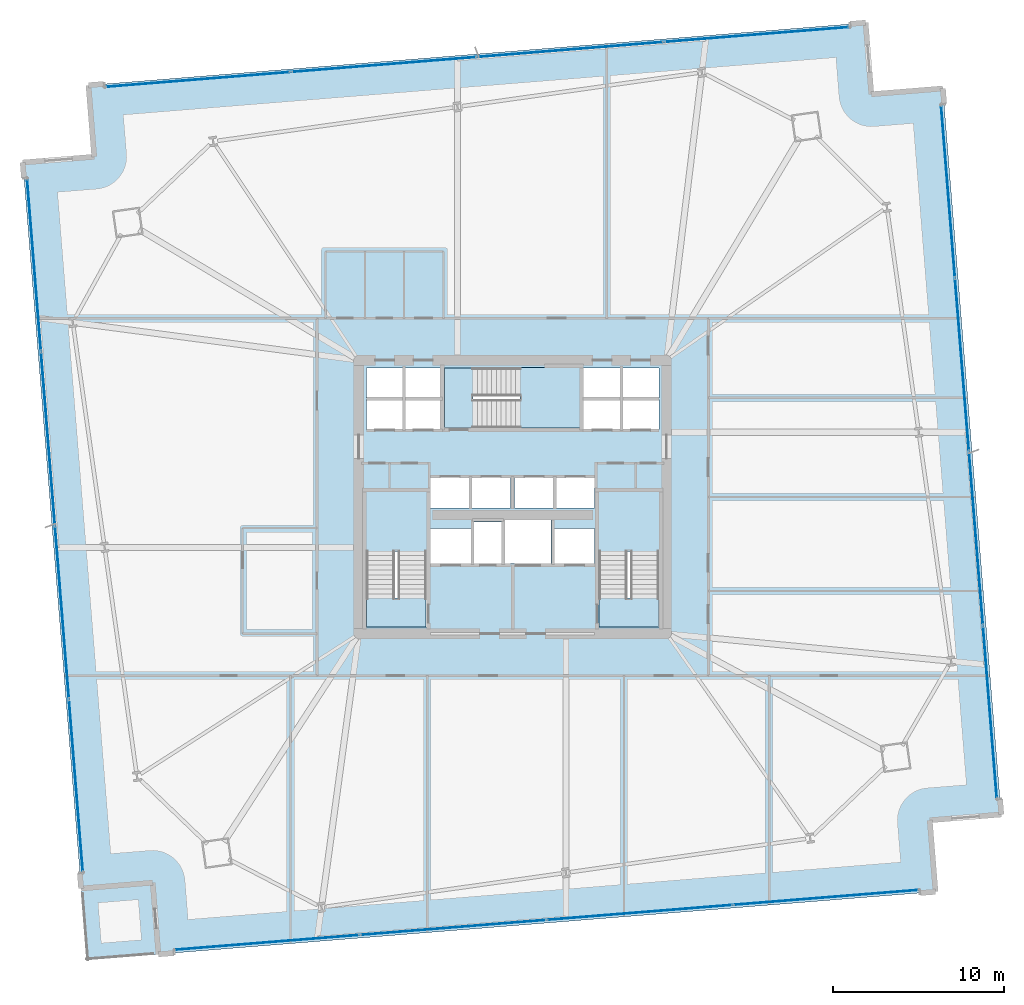
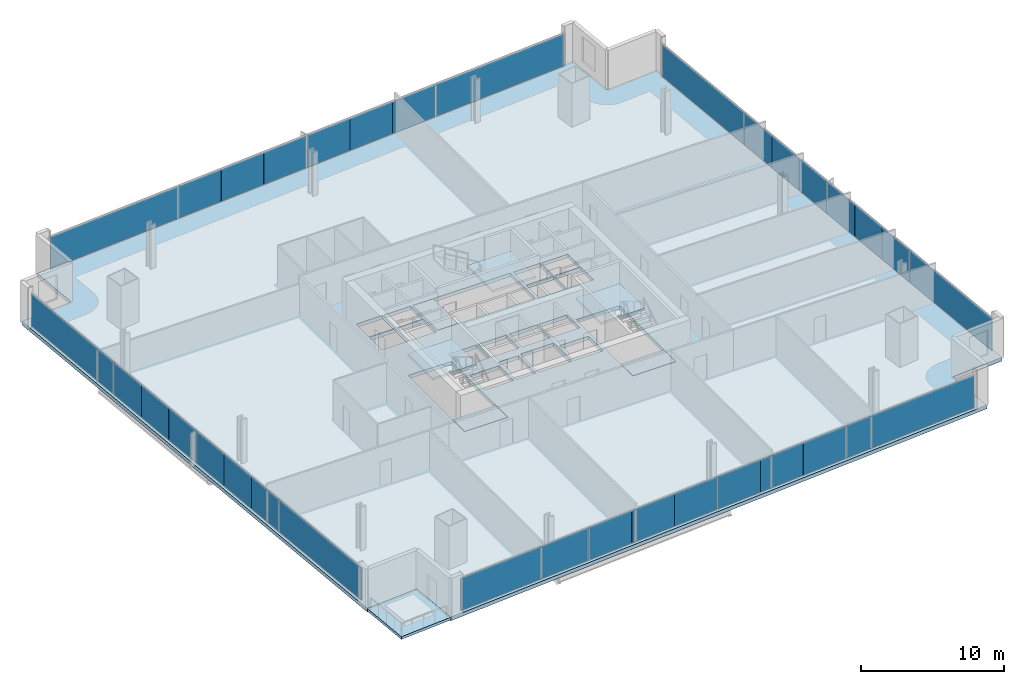
# One storey, part 24 of 33: 32 plates, 8 slabs, 7 elements without a shape of their own.
"""IFC4 building model written with IfcOpenShell, lengths in metres."""

from ifc_helpers import new_model, si_unit, direction, frame, origin, origin_2d, place, context, subcontext, project, spatial, polyline, rectangle, outline, extrude, source, transform, mapped, material, layer, layer_set, type_object, element, aggregate, save


model = new_model("IFC4")

# Units and contexts
model_context = context("Model", 3, precision=1e-05, world=origin(), true_north=direction((0.0, 1.0)))
body_context = subcontext(model_context, "Body", "Model", "MODEL_VIEW")
ifc_project = project(units=[si_unit("LENGTHUNIT", "METRE"), si_unit("AREAUNIT", "SQUARE_METRE"), si_unit("VOLUMEUNIT", "CUBIC_METRE"), si_unit("PLANEANGLEUNIT", "RADIAN"), si_unit("MASSUNIT", "GRAM", prefix="KILO")], contexts=[model_context])

# Site, building, storey
site_placement = place(None, origin())
site = spatial("IfcSite", under=ifc_project, at=site_placement, CompositionType="ELEMENT")
building_placement = place(site_placement, origin())
building = spatial("IfcBuilding", under=site, at=building_placement, Name="Haldenkirk Collegiate Tower", CompositionType="ELEMENT")
storey_placement = place(building_placement, frame((0.0, 0.0, 43.949951171875)))
storey = spatial("IfcBuildingStorey", under=building, at=storey_placement, Name="L09", CompositionType="ELEMENT", Elevation=43.949951171875)

# Slab
ifc_material_1 = material(Name="Concrete f'c 40 MPa", Category="concrete")
ifc_layer_1 = layer(ifc_material_1, 0.31005859375)
ifc_layer_set_1 = layer_set([ifc_layer_1], Name="Concrete f'c 40 MPa")
slab_type_1 = type_object("IfcSlabType", Name="SLB-FLR-310", PredefinedType="FLOOR", material=ifc_layer_set_1)
slab_1_placement = place(storey_placement, frame((0.0, 0.0, -0.31005859375)))
element("IfcSlab", 1, at=slab_1_placement, inside=storey, type_object=slab_type_1, Name="L09 composite structural floor slab", PredefinedType="FLOOR", context=body_context, shape_type="SweptSolid", body=[
    extrude(outline(polyline([(15.2783203125, -0.748046875), (60.7314453125, 2.9091796875), (60.394775390625, 7.095458984375), (64.581298828125, 7.432373046875), (61.164794921875, 49.895263671875), (56.978271484375, 49.558349609375), (56.641357421875, 53.744873046875), (11.188232421875, 50.087646484375), (11.525146484375, 45.901123046875), (7.338623046875, 45.564453125), (10.755126953125, 3.1015625), (14.941650390625, 3.4384765625), (15.2783203125, -0.748046875)]), holes=[polyline([(27.449951171875, 18.39990234375), (30.949951171875, 18.39990234375), (30.949951171875, 26.300048828125), (27.449951171875, 26.300048828125), (27.449951171875, 18.39990234375)]), polyline([(41.050048828125, 18.39990234375), (44.550048828125, 18.39990234375), (44.550048828125, 26.300048828125), (41.050048828125, 26.300048828125), (41.050048828125, 18.39990234375)]), polyline([(32.0, 30.050048828125), (39.89990234375, 30.050048828125), (39.89990234375, 33.550048828125), (32.0, 33.550048828125), (32.0, 30.050048828125)]), polyline([(33.75, 22.10009765625), (35.35009765625, 22.10009765625), (35.35009765625, 24.550048828125), (33.75, 24.550048828125), (33.75, 22.10009765625)]), polyline([(27.449951171875, 29.949951171875), (29.580078125, 29.949951171875), (29.580078125, 31.699951171875), (27.449951171875, 31.699951171875), (27.449951171875, 29.949951171875)]), polyline([(29.679931640625, 29.949951171875), (31.85009765625, 29.949951171875), (31.85009765625, 31.699951171875), (29.679931640625, 31.699951171875), (29.679931640625, 29.949951171875)]), polyline([(27.449951171875, 31.800048828125), (29.580078125, 31.800048828125), (29.580078125, 33.550048828125), (27.449951171875, 33.550048828125), (27.449951171875, 31.800048828125)]), polyline([(29.679931640625, 31.800048828125), (31.85009765625, 31.800048828125), (31.85009765625, 33.550048828125), (29.679931640625, 33.550048828125), (29.679931640625, 31.800048828125)]), polyline([(40.14990234375, 29.949951171875), (42.320068359375, 29.949951171875), (42.320068359375, 31.699951171875), (40.14990234375, 31.699951171875), (40.14990234375, 29.949951171875)]), polyline([(42.419921875, 29.949951171875), (44.550048828125, 29.949951171875), (44.550048828125, 31.699951171875), (42.419921875, 31.699951171875), (42.419921875, 29.949951171875)]), polyline([(40.14990234375, 31.800048828125), (42.320068359375, 31.800048828125), (42.320068359375, 33.550048828125), (40.14990234375, 33.550048828125), (40.14990234375, 31.800048828125)]), polyline([(42.419921875, 31.800048828125), (44.550048828125, 31.800048828125), (44.550048828125, 33.550048828125), (42.419921875, 33.550048828125), (42.419921875, 31.800048828125)]), polyline([(31.199951171875, 25.35009765625), (33.47998046875, 25.35009765625), (33.47998046875, 27.14990234375), (31.199951171875, 27.14990234375), (31.199951171875, 25.35009765625)]), polyline([(33.60009765625, 25.35009765625), (35.8798828125, 25.35009765625), (35.8798828125, 27.14990234375), (33.60009765625, 27.14990234375), (33.60009765625, 25.35009765625)]), polyline([(36.1201171875, 25.35009765625), (38.39990234375, 25.35009765625), (38.39990234375, 27.14990234375), (36.1201171875, 27.14990234375), (36.1201171875, 25.35009765625)]), polyline([(38.52001953125, 25.35009765625), (40.800048828125, 25.35009765625), (40.800048828125, 27.14990234375), (38.52001953125, 27.14990234375), (38.52001953125, 25.35009765625)]), polyline([(31.199951171875, 22.10009765625), (33.550048828125, 22.10009765625), (33.550048828125, 24.14990234375), (31.199951171875, 24.14990234375), (31.199951171875, 22.10009765625)]), polyline([(38.449951171875, 22.10009765625), (40.800048828125, 22.10009765625), (40.800048828125, 24.14990234375), (38.449951171875, 24.14990234375), (38.449951171875, 22.10009765625)]), polyline([(35.550048828125, 22.10009765625), (38.25, 22.10009765625), (38.25, 24.64990234375), (35.550048828125, 24.64990234375), (35.550048828125, 22.10009765625)])]), origin(), (0.0, 0.0, 1.0), 0.31005859375),
])

# Stair, slab
stair_type = type_object("IfcStairType", Name="STR-DOGLEG-1650", PredefinedType="HALF_TURN_STAIR", material=ifc_material_1)
stair_1_placement = place(storey_placement, origin())
stair_1 = element("IfcStair", 2, at=stair_1_placement, inside=storey, type_object=stair_type, Name="L09 Core Exit Stair ST-1", PredefinedType="HALF_TURN_STAIR")
ifc_layer_2 = layer(ifc_material_1, 0.199951171875)
ifc_layer_set_2 = layer_set([ifc_layer_2], Name="Concrete f'c 40 MPa")
slab_type_2 = type_object("IfcSlabType", Name="SLB-LANDING-200", PredefinedType="LANDING", material=ifc_layer_set_2)
slab_2_placement = place(storey_placement, frame((0.0, 0.0, 1.675048828125)))
slab_2 = element("IfcSlab", 3, at=slab_2_placement, type_object=slab_type_2, Name="ST-1 landing 1", PredefinedType="LANDING", context=body_context, shape_type="SweptSolid", body=[
    extrude(outline(polyline([(30.97509765625, 22.824951171875), (27.425048828125, 22.824951171875), (27.425048828125, 26.324951171875), (30.97509765625, 26.324951171875), (30.97509765625, 22.824951171875)])), origin(), (0.0, 0.0, 1.0), 0.199951171875),
])
aggregate(stair_1, [slab_2])

stair_2_placement = place(storey_placement, origin())
stair_2 = element("IfcStair", 4, at=stair_2_placement, inside=storey, type_object=stair_type, Name="L09 Core Exit Stair ST-2", PredefinedType="HALF_TURN_STAIR")
slab_3_placement = place(storey_placement, frame((0.0, 0.0, 1.675048828125)))
slab_3 = element("IfcSlab", 5, at=slab_3_placement, type_object=slab_type_2, Name="ST-2 landing 1", PredefinedType="LANDING", context=body_context, shape_type="SweptSolid", body=[
    extrude(outline(polyline([(44.574951171875, 22.824951171875), (41.02490234375, 22.824951171875), (41.02490234375, 26.324951171875), (44.574951171875, 26.324951171875), (44.574951171875, 22.824951171875)])), origin(), (0.0, 0.0, 1.0), 0.199951171875),
])
aggregate(stair_2, [slab_3])

stair_3_placement = place(storey_placement, origin())
stair_3 = element("IfcStair", 6, at=stair_3_placement, inside=storey, type_object=stair_type, Name="L09 Core Exit Stair ST-3", PredefinedType="HALF_TURN_STAIR")
slab_4_placement = place(storey_placement, frame((0.0, 0.0, 1.675048828125)))
slab_4 = element("IfcSlab", 7, at=slab_4_placement, type_object=slab_type_2, Name="ST-3 landing 1", PredefinedType="LANDING", context=body_context, shape_type="SweptSolid", body=[
    extrude(outline(polyline([(36.425048828125, 30.02490234375), (36.425048828125, 33.574951171875), (39.925048828125, 33.574951171875), (39.925048828125, 30.02490234375), (36.425048828125, 30.02490234375)])), origin(), (0.0, 0.0, 1.0), 0.199951171875),
])
aggregate(stair_3, [slab_4])

# Slabs
ifc_layer_3 = layer(ifc_material_1, 0.25)
ifc_layer_set_3 = layer_set([ifc_layer_3], Name="Concrete f'c 40 MPa")
slab_type_3 = type_object("IfcSlabType", Name="SLB-STAIRLAND-250", PredefinedType="LANDING", material=ifc_layer_set_3)
slab_5_placement = place(storey_placement, frame((0.0, 0.0, -0.25)))
element("IfcSlab", 8, at=slab_5_placement, inside=storey, type_object=slab_type_3, Name="L09 stair ST1 structural floor landing slab", PredefinedType="LANDING", context=body_context, shape_type="SweptSolid", body=[
    extrude(outline(polyline([(27.4599609375, 18.409912109375), (30.93994140625, 18.409912109375), (30.93994140625, 20.080078125), (27.4599609375, 20.080078125), (27.4599609375, 18.409912109375)])), origin(), (0.0, 0.0, 1.0), 0.25),
])
slab_6_placement = place(storey_placement, frame((0.0, 0.0, -0.25)))
element("IfcSlab", 9, at=slab_6_placement, inside=storey, type_object=slab_type_3, Name="L09 stair ST2 structural floor landing slab", PredefinedType="LANDING", context=body_context, shape_type="SweptSolid", body=[
    extrude(outline(polyline([(41.06005859375, 18.409912109375), (44.5400390625, 18.409912109375), (44.5400390625, 20.080078125), (41.06005859375, 20.080078125), (41.06005859375, 18.409912109375)])), origin(), (0.0, 0.0, 1.0), 0.25),
])
slab_7_placement = place(storey_placement, frame((0.0, 0.0, -0.25)))
element("IfcSlab", 10, at=slab_7_placement, inside=storey, type_object=slab_type_3, Name="L09 stair ST3 structural floor landing slab", PredefinedType="LANDING", context=body_context, shape_type="SweptSolid", body=[
    extrude(outline(polyline([(32.010009765625, 30.06005859375), (33.679931640625, 30.06005859375), (33.679931640625, 33.5400390625), (32.010009765625, 33.5400390625), (32.010009765625, 30.06005859375)])), origin(), (0.0, 0.0, 1.0), 0.25),
])
ifc_layer_4 = layer(ifc_material_1, 0.22998046875)
ifc_layer_set_4 = layer_set([ifc_layer_4], Name="Concrete f'c 40 MPa")
slab_type_4 = type_object("IfcSlabType", Name="SLB-TERR-SPIRAL-230", PredefinedType="FLOOR", material=ifc_layer_set_4)
slab_8_placement = place(storey_placement, frame((0.0, 0.0, -0.22998046875)))
element("IfcSlab", 11, at=slab_8_placement, inside=storey, type_object=slab_type_4, Name="L09 spiralling corner terrace slab", PredefinedType="FLOOR", context=body_context, shape_type="SweptSolid", body=[
    extrude(outline(polyline([(11.091796875, -1.084716796875), (15.2783203125, -0.748046875), (14.941650390625, 3.4384765625), (10.755126953125, 3.1015625), (11.091796875, -1.084716796875)])), origin(), (0.0, 0.0, 1.0), 0.22998046875),
])

# Curtain wall, plates
ifc_material_2 = material(Name="Anodised architectural bronze aluminium", Category="aluminium")
curtain_wall_type_1 = type_object("IfcCurtainWallType", Name="CW-SYS2-CONCAVE", PredefinedType="USERDEFINED", material=ifc_material_2)
curtain_wall_1_placement = place(storey_placement, origin())
curtain_wall_1 = element("IfcCurtainWall", 12, at=curtain_wall_1_placement, inside=storey, type_object=curtain_wall_type_1, Name="L09 South concave recessed bronze-anodised curtain wall", ObjectType="UNITISED CURTAIN WALL", PredefinedType="USERDEFINED")
ifc_material_3 = material(Name="Bronze-anodised insulated aluminium spandrel panel", Category="aluminium")
ifc_layer_5 = layer(ifc_material_3, 0.0419921875)
ifc_layer_set_5 = layer_set([ifc_layer_5], Name="Bronze-anodised insulated aluminium spandrel panel")
plate_type_1 = type_object("IfcPlateType", Name="CW-SPD-02", PredefinedType="CURTAIN_PANEL", material=ifc_layer_set_5)
shared_shape_1 = source(origin(), body_context, "Body", "SweptSolid", [
    extrude(rectangle(XDim=3.612548828125, YDim=0.0419921875, at=origin_2d()), origin(), (0.0, 0.0, 1.0), 2.740966796875),
])
plate_1_placement = place(storey_placement, frame((47.0673828125, 1.990234375, 0.0751953125), z_axis=(0.0, 0.0, 1.0), x_axis=(-0.99677889979, -0.08019865918, 0.0)))
plate_1 = element("IfcPlate", 13, at=plate_1_placement, type_object=plate_type_1, Name="CW-02 spandrel panel 2.1a", PredefinedType="CURTAIN_PANEL", context=body_context, shape_type="MappedRepresentation", body=[
    mapped(shared_shape_1, transform((0.0, 0.0, 0.0), x_axis=(1.0, 0.0, 0.0), y_axis=(0.0, 1.0, 0.0), z_axis=(0.0, 0.0, 1.0), scale=1.0)),
])
plate_2_placement = place(storey_placement, frame((39.828369140625, 1.40771484375, 0.0751953125), z_axis=(0.0, 0.0, 1.0), x_axis=(-0.99677889979, -0.08019865918, 0.0)))
plate_2 = element("IfcPlate", 14, at=plate_2_placement, type_object=plate_type_1, Name="CW-02 spandrel panel 2.1c", PredefinedType="CURTAIN_PANEL", context=body_context, shape_type="MappedRepresentation", body=[
    mapped(shared_shape_1, transform((0.0, 0.0, 0.0), x_axis=(1.0, 0.0, 0.0), y_axis=(0.0, 1.0, 0.0), z_axis=(0.0, 0.0, 1.0), scale=1.0)),
])
ifc_material_4 = material(Name="Low-E argon triple insulating glass", Category="glass")
ifc_layer_6 = layer(ifc_material_4, 0.0419921875)
ifc_layer_set_6 = layer_set([ifc_layer_6], Name="Low-E argon triple insulating glass")
plate_type_2 = type_object("IfcPlateType", Name="CW-PNL-02", PredefinedType="CURTAIN_PANEL", material=ifc_layer_set_6)
plate_3_placement = place(storey_placement, frame((36.152587890625, 1.112060546875, 0.0751953125), z_axis=(0.0, 0.0, 1.0), x_axis=(-0.99677889979, -0.08019865918, 0.0)))
plate_3 = element("IfcPlate", 15, at=plate_3_placement, type_object=plate_type_2, Name="CW-02 panel 3.1a", PredefinedType="CURTAIN_PANEL", context=body_context, shape_type="MappedRepresentation", body=[
    mapped(shared_shape_1, transform((0.0, 0.0, 0.0), x_axis=(1.0, 0.0, 0.0), y_axis=(0.0, 1.0, 0.0), z_axis=(0.0, 0.0, 1.0), scale=1.0)),
])
plate_4_placement = place(storey_placement, frame((28.91357421875, 0.529541015625, 0.0751953125), z_axis=(0.0, 0.0, 1.0), x_axis=(-0.99677889979, -0.08019865918, 0.0)))
plate_4 = element("IfcPlate", 16, at=plate_4_placement, type_object=plate_type_1, Name="CW-02 spandrel panel 3.1c", PredefinedType="CURTAIN_PANEL", context=body_context, shape_type="MappedRepresentation", body=[
    mapped(shared_shape_1, transform((0.0, 0.0, 0.0), x_axis=(1.0, 0.0, 0.0), y_axis=(0.0, 1.0, 0.0), z_axis=(0.0, 0.0, 1.0), scale=1.0)),
])
shared_shape_2 = source(origin(), body_context, "Body", "SweptSolid", [
    extrude(rectangle(XDim=3.60009765625, YDim=0.0419921875, at=origin_2d()), origin(), (0.0, 0.0, 1.0), 2.740966796875),
])
plate_5_placement = place(storey_placement, frame((43.447998046875, 1.698974609375, 0.0751953125), z_axis=(0.0, 0.0, 1.0), x_axis=(-0.99677889979, -0.08019865918, 0.0)))
plate_5 = element("IfcPlate", 17, at=plate_5_placement, type_object=plate_type_1, Name="CW-02 spandrel panel 2.1b", PredefinedType="CURTAIN_PANEL", context=body_context, shape_type="MappedRepresentation", body=[
    mapped(shared_shape_2, transform((0.0, 0.0, 0.0), x_axis=(1.0, 0.0, 0.0), y_axis=(0.0, 1.0, 0.0), z_axis=(0.0, 0.0, 1.0), scale=1.0)),
])
plate_6_placement = place(storey_placement, frame((32.533203125, 0.82080078125, 0.0751953125), z_axis=(0.0, 0.0, 1.0), x_axis=(-0.99677889979, -0.08019865918, 0.0)))
plate_6 = element("IfcPlate", 18, at=plate_6_placement, type_object=plate_type_2, Name="CW-02 panel 3.1b", PredefinedType="CURTAIN_PANEL", context=body_context, shape_type="MappedRepresentation", body=[
    mapped(shared_shape_2, transform((0.0, 0.0, 0.0), x_axis=(1.0, 0.0, 0.0), y_axis=(0.0, 1.0, 0.0), z_axis=(0.0, 0.0, 1.0), scale=1.0)),
])

curtain_wall_type_2 = type_object("IfcCurtainWallType", Name="CW-SYS1-CONVEX-LOW", PredefinedType="USERDEFINED", material=ifc_material_2)
curtain_wall_2_placement = place(storey_placement, origin())
curtain_wall_2 = element("IfcCurtainWall", 19, at=curtain_wall_2_placement, inside=storey, type_object=curtain_wall_type_2, Name="L09 Lower tower convex bronze-framed unitised curtain wall", ObjectType="UNITISED CURTAIN WALL", PredefinedType="USERDEFINED")
ifc_layer_7 = layer(ifc_material_4, 0.0439453125)
ifc_layer_set_7 = layer_set([ifc_layer_7], Name="Low-E argon triple insulating glass")
plate_type_3 = type_object("IfcPlateType", Name="CW-PNL-1A", PredefinedType="CURTAIN_PANEL", material=ifc_layer_set_7)
shared_shape_3 = source(origin(), body_context, "Body", "SweptSolid", [
    extrude(rectangle(XDim=10.080078125, YDim=0.0439453125, at=origin_2d()), origin(), (0.0, 0.0, 1.0), 2.73095703125),
])
plate_7_placement = place(storey_placement, frame((61.468017578125, 43.880126953125, 0.080078125), z_axis=(0.0, 0.0, 1.0), x_axis=(0.080198489315, -0.996778913457, 0.0)))
plate_7 = element("IfcPlate", 20, at=plate_7_placement, type_object=plate_type_3, Name="CW-1A panel 1.1", PredefinedType="CURTAIN_PANEL", context=body_context, shape_type="MappedRepresentation", body=[
    mapped(shared_shape_3, transform((0.0, 0.0, 0.0), x_axis=(1.0, 0.0, 0.0), y_axis=(0.0, 1.0, 0.0), z_axis=(0.0, 0.0, 1.0), scale=1.0)),
])
plate_8_placement = place(storey_placement, frame((63.9189453125, 13.418701171875, 0.080078125), z_axis=(0.0, 0.0, 1.0), x_axis=(0.080198489315, -0.996778913457, 0.0)))
plate_8 = element("IfcPlate", 21, at=plate_8_placement, type_object=plate_type_3, Name="CW-1A panel 4.1", PredefinedType="CURTAIN_PANEL", context=body_context, shape_type="MappedRepresentation", body=[
    mapped(shared_shape_3, transform((0.0, 0.0, 0.0), x_axis=(1.0, 0.0, 0.0), y_axis=(0.0, 1.0, 0.0), z_axis=(0.0, 0.0, 1.0), scale=1.0)),
])

curtain_wall_3_placement = place(storey_placement, origin())
curtain_wall_3 = element("IfcCurtainWall", 22, at=curtain_wall_3_placement, inside=storey, type_object=curtain_wall_type_2, Name="L09 Lower tower convex bronze-framed unitised curtain wall", ObjectType="UNITISED CURTAIN WALL", PredefinedType="USERDEFINED")
plate_9_placement = place(storey_placement, frame((10.45166015625, 9.11669921875, 0.080078125), z_axis=(0.0, 0.0, 1.0), x_axis=(-0.080198489315, 0.996778913457, 0.0)))
plate_9 = element("IfcPlate", 23, at=plate_9_placement, type_object=plate_type_3, Name="CW-1A panel 1.1", PredefinedType="CURTAIN_PANEL", context=body_context, shape_type="MappedRepresentation", body=[
    mapped(shared_shape_3, transform((0.0, 0.0, 0.0), x_axis=(1.0, 0.0, 0.0), y_axis=(0.0, 1.0, 0.0), z_axis=(0.0, 0.0, 1.0), scale=1.0)),
])
plate_10_placement = place(storey_placement, frame((8.000732421875, 39.578125, 0.080078125), z_axis=(0.0, 0.0, 1.0), x_axis=(-0.080198489315, 0.996778913457, 0.0)))
plate_10 = element("IfcPlate", 24, at=plate_10_placement, type_object=plate_type_3, Name="CW-1A panel 4.1", PredefinedType="CURTAIN_PANEL", context=body_context, shape_type="MappedRepresentation", body=[
    mapped(shared_shape_3, transform((0.0, 0.0, 0.0), x_axis=(1.0, 0.0, 0.0), y_axis=(0.0, 1.0, 0.0), z_axis=(0.0, 0.0, 1.0), scale=1.0)),
])

# Plate
ifc_layer_8 = layer(ifc_material_3, 0.0439453125)
ifc_layer_set_8 = layer_set([ifc_layer_8], Name="Bronze-anodised insulated aluminium spandrel panel")
plate_type_4 = type_object("IfcPlateType", Name="CW-SPD-1A", PredefinedType="CURTAIN_PANEL", material=ifc_layer_set_8)
shared_shape_4 = source(origin(), body_context, "Body", "SweptSolid", [
    extrude(rectangle(XDim=3.36083984375, YDim=0.0439453125, at=origin_2d()), origin(), (0.0, 0.0, 1.0), 2.73095703125),
])
plate_11_placement = place(storey_placement, frame((62.013427734375, 37.101806640625, 0.080078125), z_axis=(0.0, 0.0, 1.0), x_axis=(0.080198489315, -0.996778913457, 0.0)))
plate_11 = element("IfcPlate", 25, at=plate_11_placement, type_object=plate_type_4, Name="CW-1A spandrel panel 2.1a", PredefinedType="CURTAIN_PANEL", context=body_context, shape_type="MappedRepresentation", body=[
    mapped(shared_shape_4, transform((0.0, 0.0, 0.0), x_axis=(1.0, 0.0, 0.0), y_axis=(0.0, 1.0, 0.0), z_axis=(0.0, 0.0, 1.0), scale=1.0)),
])

plate_12_placement = place(storey_placement, frame((62.5556640625, 30.3642578125, 0.080078125), z_axis=(0.0, 0.0, 1.0), x_axis=(0.080198489315, -0.996778913457, 0.0)))
plate_12 = element("IfcPlate", 26, at=plate_12_placement, type_object=plate_type_4, Name="CW-1A spandrel panel 2.1c", PredefinedType="CURTAIN_PANEL", context=body_context, shape_type="MappedRepresentation", body=[
    mapped(shared_shape_4, transform((0.0, 0.0, 0.0), x_axis=(1.0, 0.0, 0.0), y_axis=(0.0, 1.0, 0.0), z_axis=(0.0, 0.0, 1.0), scale=1.0)),
])

plate_13_placement = place(storey_placement, frame((62.83154296875, 26.9345703125, 0.080078125), z_axis=(0.0, 0.0, 1.0), x_axis=(0.080198489315, -0.996778913457, 0.0)))
plate_13 = element("IfcPlate", 27, at=plate_13_placement, type_object=plate_type_3, Name="CW-1A panel 3.1a", PredefinedType="CURTAIN_PANEL", context=body_context, shape_type="MappedRepresentation", body=[
    mapped(shared_shape_4, transform((0.0, 0.0, 0.0), x_axis=(1.0, 0.0, 0.0), y_axis=(0.0, 1.0, 0.0), z_axis=(0.0, 0.0, 1.0), scale=1.0)),
])

plate_14_placement = place(storey_placement, frame((63.37353515625, 20.197021484375, 0.080078125), z_axis=(0.0, 0.0, 1.0), x_axis=(0.080198489315, -0.996778913457, 0.0)))
plate_14 = element("IfcPlate", 28, at=plate_14_placement, type_object=plate_type_4, Name="CW-1A spandrel panel 3.1c", PredefinedType="CURTAIN_PANEL", context=body_context, shape_type="MappedRepresentation", body=[
    mapped(shared_shape_4, transform((0.0, 0.0, 0.0), x_axis=(1.0, 0.0, 0.0), y_axis=(0.0, 1.0, 0.0), z_axis=(0.0, 0.0, 1.0), scale=1.0)),
])

plate_15_placement = place(storey_placement, frame((9.90625, 15.89501953125, 0.080078125), z_axis=(0.0, 0.0, 1.0), x_axis=(-0.080198489315, 0.996778913457, 0.0)))
plate_15 = element("IfcPlate", 29, at=plate_15_placement, type_object=plate_type_4, Name="CW-1A spandrel panel 2.1a", PredefinedType="CURTAIN_PANEL", context=body_context, shape_type="MappedRepresentation", body=[
    mapped(shared_shape_4, transform((0.0, 0.0, 0.0), x_axis=(1.0, 0.0, 0.0), y_axis=(0.0, 1.0, 0.0), z_axis=(0.0, 0.0, 1.0), scale=1.0)),
])

plate_16_placement = place(storey_placement, frame((9.3642578125, 22.632568359375, 0.080078125), z_axis=(0.0, 0.0, 1.0), x_axis=(-0.080198489315, 0.996778913457, 0.0)))
plate_16 = element("IfcPlate", 30, at=plate_16_placement, type_object=plate_type_4, Name="CW-1A spandrel panel 2.1c", PredefinedType="CURTAIN_PANEL", context=body_context, shape_type="MappedRepresentation", body=[
    mapped(shared_shape_4, transform((0.0, 0.0, 0.0), x_axis=(1.0, 0.0, 0.0), y_axis=(0.0, 1.0, 0.0), z_axis=(0.0, 0.0, 1.0), scale=1.0)),
])

plate_17_placement = place(storey_placement, frame((9.08837890625, 26.062255859375, 0.080078125), z_axis=(0.0, 0.0, 1.0), x_axis=(-0.080198489315, 0.996778913457, 0.0)))
plate_17 = element("IfcPlate", 31, at=plate_17_placement, type_object=plate_type_3, Name="CW-1A panel 3.1a", PredefinedType="CURTAIN_PANEL", context=body_context, shape_type="MappedRepresentation", body=[
    mapped(shared_shape_4, transform((0.0, 0.0, 0.0), x_axis=(1.0, 0.0, 0.0), y_axis=(0.0, 1.0, 0.0), z_axis=(0.0, 0.0, 1.0), scale=1.0)),
])

plate_18_placement = place(storey_placement, frame((8.546142578125, 32.7998046875, 0.080078125), z_axis=(0.0, 0.0, 1.0), x_axis=(-0.080198489315, 0.996778913457, 0.0)))
plate_18 = element("IfcPlate", 32, at=plate_18_placement, type_object=plate_type_4, Name="CW-1A spandrel panel 3.1c", PredefinedType="CURTAIN_PANEL", context=body_context, shape_type="MappedRepresentation", body=[
    mapped(shared_shape_4, transform((0.0, 0.0, 0.0), x_axis=(1.0, 0.0, 0.0), y_axis=(0.0, 1.0, 0.0), z_axis=(0.0, 0.0, 1.0), scale=1.0)),
])

shared_shape_5 = source(origin(), body_context, "Body", "SweptSolid", [
    extrude(rectangle(XDim=3.348388671875, YDim=0.0439453125, at=origin_2d()), origin(), (0.0, 0.0, 1.0), 2.73095703125),
])
plate_19_placement = place(storey_placement, frame((62.284423828125, 33.73291015625, 0.080078125), z_axis=(0.0, 0.0, 1.0), x_axis=(0.080198489315, -0.996778913457, 0.0)))
plate_19 = element("IfcPlate", 33, at=plate_19_placement, type_object=plate_type_4, Name="CW-1A spandrel panel 2.1b", PredefinedType="CURTAIN_PANEL", context=body_context, shape_type="MappedRepresentation", body=[
    mapped(shared_shape_5, transform((0.0, 0.0, 0.0), x_axis=(1.0, 0.0, 0.0), y_axis=(0.0, 1.0, 0.0), z_axis=(0.0, 0.0, 1.0), scale=1.0)),
])

plate_20_placement = place(storey_placement, frame((63.1025390625, 23.56591796875, 0.080078125), z_axis=(0.0, 0.0, 1.0), x_axis=(0.080198489315, -0.996778913457, 0.0)))
plate_20 = element("IfcPlate", 34, at=plate_20_placement, type_object=plate_type_3, Name="CW-1A panel 3.1b", PredefinedType="CURTAIN_PANEL", context=body_context, shape_type="MappedRepresentation", body=[
    mapped(shared_shape_5, transform((0.0, 0.0, 0.0), x_axis=(1.0, 0.0, 0.0), y_axis=(0.0, 1.0, 0.0), z_axis=(0.0, 0.0, 1.0), scale=1.0)),
])

aggregate(curtain_wall_2, [plate_7, plate_11, plate_19, plate_12, plate_13, plate_20, plate_14, plate_8])

plate_21_placement = place(storey_placement, frame((9.63525390625, 19.263916015625, 0.080078125), z_axis=(0.0, 0.0, 1.0), x_axis=(-0.080198489315, 0.996778913457, 0.0)))
plate_21 = element("IfcPlate", 35, at=plate_21_placement, type_object=plate_type_4, Name="CW-1A spandrel panel 2.1b", PredefinedType="CURTAIN_PANEL", context=body_context, shape_type="MappedRepresentation", body=[
    mapped(shared_shape_5, transform((0.0, 0.0, 0.0), x_axis=(1.0, 0.0, 0.0), y_axis=(0.0, 1.0, 0.0), z_axis=(0.0, 0.0, 1.0), scale=1.0)),
])

plate_22_placement = place(storey_placement, frame((8.817138671875, 29.430908203125, 0.080078125), z_axis=(0.0, 0.0, 1.0), x_axis=(-0.080198489315, 0.996778913457, 0.0)))
plate_22 = element("IfcPlate", 36, at=plate_22_placement, type_object=plate_type_3, Name="CW-1A panel 3.1b", PredefinedType="CURTAIN_PANEL", context=body_context, shape_type="MappedRepresentation", body=[
    mapped(shared_shape_5, transform((0.0, 0.0, 0.0), x_axis=(1.0, 0.0, 0.0), y_axis=(0.0, 1.0, 0.0), z_axis=(0.0, 0.0, 1.0), scale=1.0)),
])

aggregate(curtain_wall_3, [plate_9, plate_15, plate_21, plate_16, plate_17, plate_22, plate_18, plate_10])

# Curtain wall, plates
curtain_wall_4_placement = place(storey_placement, origin())
curtain_wall_4 = element("IfcCurtainWall", 37, at=curtain_wall_4_placement, inside=storey, type_object=curtain_wall_type_2, Name="L09 Lower tower convex bronze-framed unitised curtain wall", ObjectType="UNITISED CURTAIN WALL", PredefinedType="USERDEFINED")
shared_shape_6 = source(origin(), body_context, "Body", "SweptSolid", [
    extrude(rectangle(XDim=10.830078125, YDim=0.0439453125, at=origin_2d()), origin(), (0.0, 0.0, 1.0), 2.73095703125),
])
plate_23_placement = place(storey_placement, frame((17.5771484375, 50.421142578125, 0.080078125), z_axis=(0.0, 0.0, 1.0), x_axis=(0.99677889979, 0.08019865918, 0.0)))
plate_23 = element("IfcPlate", 38, at=plate_23_placement, type_object=plate_type_3, Name="CW-1A panel 1.1", PredefinedType="CURTAIN_PANEL", context=body_context, shape_type="MappedRepresentation", body=[
    mapped(shared_shape_6, transform((0.0, 0.0, 0.0), x_axis=(1.0, 0.0, 0.0), y_axis=(0.0, 1.0, 0.0), z_axis=(0.0, 0.0, 1.0), scale=1.0)),
])
plate_24_placement = place(storey_placement, frame((50.281494140625, 53.052490234375, 0.080078125), z_axis=(0.0, 0.0, 1.0), x_axis=(0.99677889979, 0.08019865918, 0.0)))
plate_24 = element("IfcPlate", 39, at=plate_24_placement, type_object=plate_type_3, Name="CW-1A panel 4.1", PredefinedType="CURTAIN_PANEL", context=body_context, shape_type="MappedRepresentation", body=[
    mapped(shared_shape_6, transform((0.0, 0.0, 0.0), x_axis=(1.0, 0.0, 0.0), y_axis=(0.0, 1.0, 0.0), z_axis=(0.0, 0.0, 1.0), scale=1.0)),
])
shared_shape_7 = source(origin(), body_context, "Body", "SweptSolid", [
    extrude(rectangle(XDim=3.61083984375, YDim=0.0439453125, at=origin_2d()), origin(), (0.0, 0.0, 1.0), 2.73095703125),
])
plate_25_placement = place(storey_placement, frame((24.85400390625, 51.006591796875, 0.080078125), z_axis=(0.0, 0.0, 1.0), x_axis=(0.99677889979, 0.08019865918, 0.0)))
plate_25 = element("IfcPlate", 40, at=plate_25_placement, type_object=plate_type_4, Name="CW-1A spandrel panel 2.1a", PredefinedType="CURTAIN_PANEL", context=body_context, shape_type="MappedRepresentation", body=[
    mapped(shared_shape_7, transform((0.0, 0.0, 0.0), x_axis=(1.0, 0.0, 0.0), y_axis=(0.0, 1.0, 0.0), z_axis=(0.0, 0.0, 1.0), scale=1.0)),
])
plate_26_placement = place(storey_placement, frame((32.08984375, 51.5888671875, 0.080078125), z_axis=(0.0, 0.0, 1.0), x_axis=(0.99677889979, 0.08019865918, 0.0)))
plate_26 = element("IfcPlate", 41, at=plate_26_placement, type_object=plate_type_4, Name="CW-1A spandrel panel 2.1c", PredefinedType="CURTAIN_PANEL", context=body_context, shape_type="MappedRepresentation", body=[
    mapped(shared_shape_7, transform((0.0, 0.0, 0.0), x_axis=(1.0, 0.0, 0.0), y_axis=(0.0, 1.0, 0.0), z_axis=(0.0, 0.0, 1.0), scale=1.0)),
])
plate_27_placement = place(storey_placement, frame((35.768798828125, 51.884765625, 0.080078125), z_axis=(0.0, 0.0, 1.0), x_axis=(0.99677889979, 0.08019865918, 0.0)))
plate_27 = element("IfcPlate", 42, at=plate_27_placement, type_object=plate_type_3, Name="CW-1A panel 3.1a", PredefinedType="CURTAIN_PANEL", context=body_context, shape_type="MappedRepresentation", body=[
    mapped(shared_shape_7, transform((0.0, 0.0, 0.0), x_axis=(1.0, 0.0, 0.0), y_axis=(0.0, 1.0, 0.0), z_axis=(0.0, 0.0, 1.0), scale=1.0)),
])
plate_28_placement = place(storey_placement, frame((43.00439453125, 52.467041015625, 0.080078125), z_axis=(0.0, 0.0, 1.0), x_axis=(0.99677889979, 0.08019865918, 0.0)))
plate_28 = element("IfcPlate", 43, at=plate_28_placement, type_object=plate_type_4, Name="CW-1A spandrel panel 3.1c", PredefinedType="CURTAIN_PANEL", context=body_context, shape_type="MappedRepresentation", body=[
    mapped(shared_shape_7, transform((0.0, 0.0, 0.0), x_axis=(1.0, 0.0, 0.0), y_axis=(0.0, 1.0, 0.0), z_axis=(0.0, 0.0, 1.0), scale=1.0)),
])
shared_shape_8 = source(origin(), body_context, "Body", "SweptSolid", [
    extrude(rectangle(XDim=3.598388671875, YDim=0.0439453125, at=origin_2d()), origin(), (0.0, 0.0, 1.0), 2.73095703125),
])
plate_29_placement = place(storey_placement, frame((28.471923828125, 51.2978515625, 0.080078125), z_axis=(0.0, 0.0, 1.0), x_axis=(0.99677889979, 0.08019865918, 0.0)))
plate_29 = element("IfcPlate", 44, at=plate_29_placement, type_object=plate_type_4, Name="CW-1A spandrel panel 2.1b", PredefinedType="CURTAIN_PANEL", context=body_context, shape_type="MappedRepresentation", body=[
    mapped(shared_shape_8, transform((0.0, 0.0, 0.0), x_axis=(1.0, 0.0, 0.0), y_axis=(0.0, 1.0, 0.0), z_axis=(0.0, 0.0, 1.0), scale=1.0)),
])
plate_30_placement = place(storey_placement, frame((39.38671875, 52.17578125, 0.080078125), z_axis=(0.0, 0.0, 1.0), x_axis=(0.99677889979, 0.08019865918, 0.0)))
plate_30 = element("IfcPlate", 45, at=plate_30_placement, type_object=plate_type_3, Name="CW-1A panel 3.1b", PredefinedType="CURTAIN_PANEL", context=body_context, shape_type="MappedRepresentation", body=[
    mapped(shared_shape_8, transform((0.0, 0.0, 0.0), x_axis=(1.0, 0.0, 0.0), y_axis=(0.0, 1.0, 0.0), z_axis=(0.0, 0.0, 1.0), scale=1.0)),
])
aggregate(curtain_wall_4, [plate_23, plate_25, plate_29, plate_26, plate_27, plate_30, plate_28, plate_24])

# Plate
shared_shape_9 = source(origin(), body_context, "Body", "SweptSolid", [
    extrude(rectangle(XDim=10.83740234375, YDim=0.0419921875, at=origin_2d()), origin(), (0.0, 0.0, 1.0), 2.740966796875),
])
plate_31_placement = place(storey_placement, frame((54.343994140625, 2.57568359375, 0.0751953125), z_axis=(0.0, 0.0, 1.0), x_axis=(-0.99677889979, -0.08019865918, 0.0)))
plate_31 = element("IfcPlate", 46, at=plate_31_placement, type_object=plate_type_2, Name="CW-02 panel 1.1", PredefinedType="CURTAIN_PANEL", context=body_context, shape_type="MappedRepresentation", body=[
    mapped(shared_shape_9, transform((0.0, 0.0, 0.0), x_axis=(1.0, 0.0, 0.0), y_axis=(0.0, 1.0, 0.0), z_axis=(0.0, 0.0, 1.0), scale=1.0)),
])

plate_32_placement = place(storey_placement, frame((21.63720703125, -0.055908203125, 0.0751953125), z_axis=(0.0, 0.0, 1.0), x_axis=(-0.99677889979, -0.08019865918, 0.0)))
plate_32 = element("IfcPlate", 47, at=plate_32_placement, type_object=plate_type_2, Name="CW-02 panel 4.1", PredefinedType="CURTAIN_PANEL", context=body_context, shape_type="MappedRepresentation", body=[
    mapped(shared_shape_9, transform((0.0, 0.0, 0.0), x_axis=(1.0, 0.0, 0.0), y_axis=(0.0, 1.0, 0.0), z_axis=(0.0, 0.0, 1.0), scale=1.0)),
])

aggregate(curtain_wall_1, [plate_31, plate_1, plate_5, plate_2, plate_3, plate_6, plate_4, plate_32])

save(model, "model.ifc")
